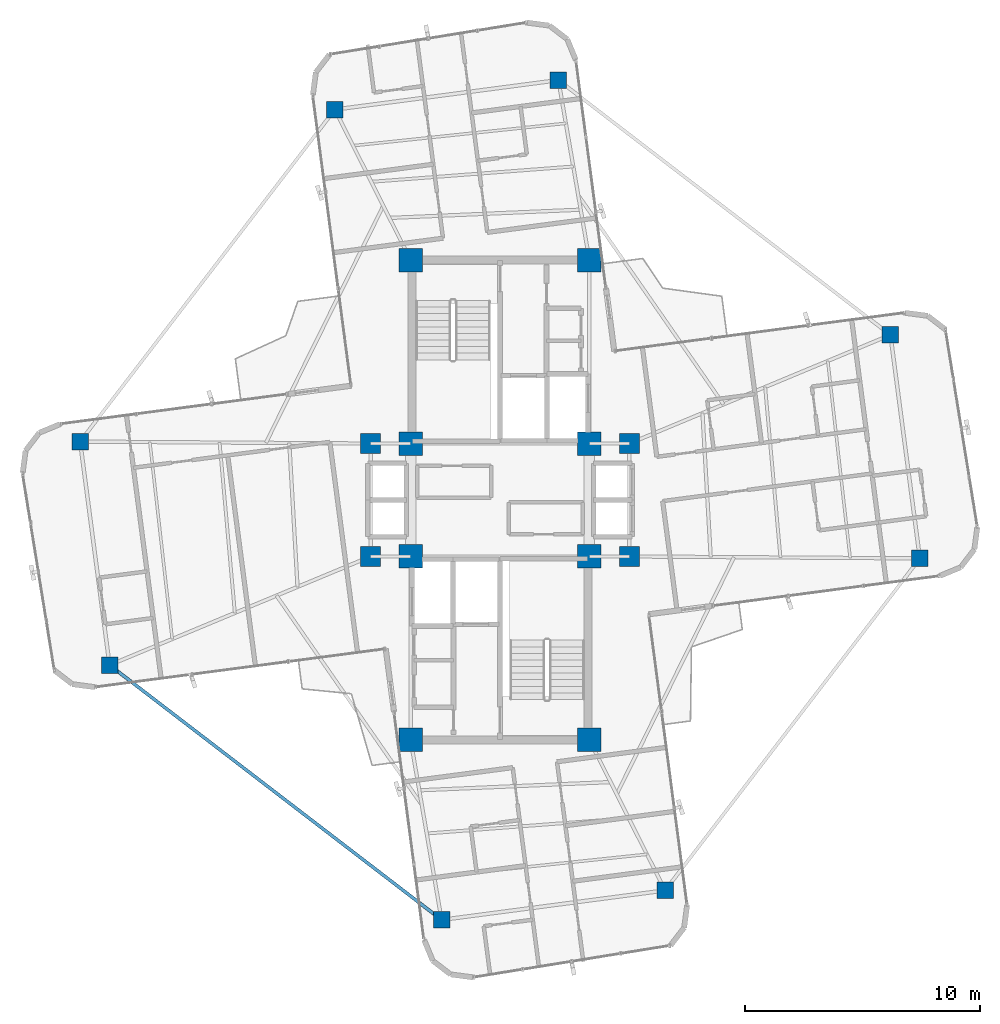
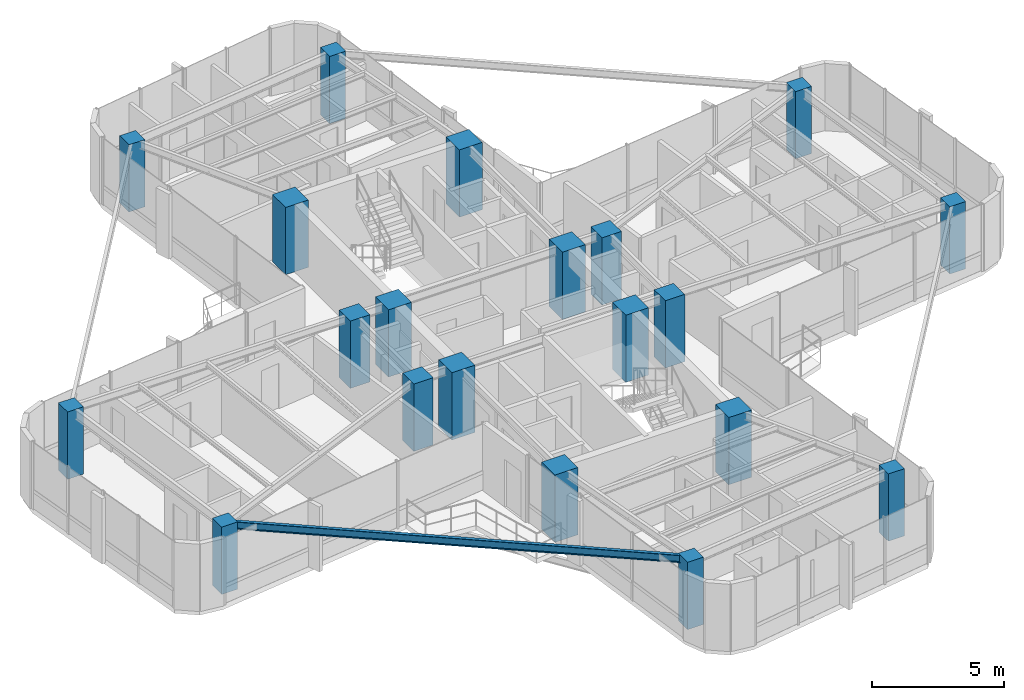
# One storey, part 1 of 22: 20 columns, 1 beam.
"""IFC4 building model written with IfcOpenShell, lengths in metres."""

from ifc_helpers import new_model, si_unit, direction, frame, origin, origin_2d, place, context, subcontext, project, spatial, rectangle, i_section, extrude, source, transform, mapped, material, material_profile, profile_set, type_object, element, save


model = new_model("IFC4")

# Units and contexts
model_context = context("Model", 3, precision=1e-05, world=origin(), true_north=direction((0.0, 1.0)))
body_context = subcontext(model_context, "Body", "Model", "MODEL_VIEW")
ifc_project = project(units=[si_unit("LENGTHUNIT", "METRE"), si_unit("AREAUNIT", "SQUARE_METRE"), si_unit("VOLUMEUNIT", "CUBIC_METRE"), si_unit("PLANEANGLEUNIT", "RADIAN"), si_unit("MASSUNIT", "GRAM", prefix="KILO")], contexts=[model_context])

# Site, building, storey
site_placement = place(None, origin())
site = spatial("IfcSite", under=ifc_project, at=site_placement, CompositionType="ELEMENT")
building_placement = place(site_placement, origin())
building = spatial("IfcBuilding", under=site, at=building_placement, Name="Sahyath Konkavel Grand Hotel", CompositionType="ELEMENT")
storey_placement = place(building_placement, frame((0.0, 0.0, 223.25)))
storey = spatial("IfcBuildingStorey", under=building, at=storey_placement, Name="L62", CompositionType="ELEMENT", Elevation=223.25)

# Columns
ifc_material_1 = material(Name="Concrete C50/60", Category="concrete")
ifc_material_profile_1 = material_profile(ifc_material_1, rectangle(XDim=1.0, YDim=1.0, at=origin_2d()), Name="RC 1000x1000")
ifc_profile_set_1 = profile_set([ifc_material_profile_1], Name="Concrete C50/60")
column_type_1 = type_object("IfcColumnType", Name="COL-RC1000", PredefinedType="COLUMN", material=ifc_profile_set_1)
shared_shape_1 = source(origin(), body_context, "Body", "SweptSolid", [
    extrude(rectangle(XDim=1.0, YDim=1.0, at=origin_2d()), origin(), (0.0, 0.0, 1.0), 3.110107421875),
])
for number, where, z_axis, x_axis, name in (
    (1, (-3.800048828125, 2.39990234375, 0.0), (0.0, 0.0, 1.0), (1.0, 0.0, 0.0), "L62 Core Boundary Column NC-SW"),
    (2, (3.800048828125, 2.39990234375, 0.0), (0.0, 0.0, 1.0), (1.0, 0.0, 0.0), "L62 Core Boundary Column NC-SE"),
    (3, (-3.800048828125, 10.199951171875, 0.0), (0.0, 0.0, 1.0), (1.0, 0.0, 0.0), "L62 Core Boundary Column NC-NW"),
    (4, (3.800048828125, 10.199951171875, 0.0), (0.0, 0.0, 1.0), (1.0, 0.0, 0.0), "L62 Core Boundary Column NC-NE"),
    (5, (-3.800048828125, -2.39990234375, 0.0), (0.0, 0.0, 1.0), (1.0, 0.0, 0.0), "L62 Core Boundary Column SC-NW"),
    (6, (3.800048828125, -2.39990234375, 0.0), (0.0, 0.0, 1.0), (1.0, 0.0, 0.0), "L62 Core Boundary Column SC-NE"),
    (7, (-3.800048828125, -10.199951171875, 0.0), (0.0, 0.0, 1.0), (1.0, 0.0, 0.0), "L62 Core Boundary Column SC-SW"),
    (8, (3.800048828125, -10.199951171875, 0.0), (0.0, 0.0, 1.0), (1.0, 0.0, 0.0), "L62 Core Boundary Column SC-SE"),
):
    element("IfcColumn", number, at=place(storey_placement, frame(where, z_axis=z_axis, x_axis=x_axis)), inside=storey, type_object=column_type_1, Name=name, PredefinedType="COLUMN", context=body_context, shape_type="MappedRepresentation", body=[
        mapped(shared_shape_1, transform((0.0, 0.0, 0.0), scale=1.0)),
    ])
ifc_material_2 = material(Name="Concrete C40/50", Category="concrete")
ifc_material_profile_2 = material_profile(ifc_material_2, rectangle(XDim=0.85009765625, YDim=0.85009765625, at=origin_2d()), Name="RC 850x850")
ifc_profile_set_2 = profile_set([ifc_material_profile_2], Name="Concrete C40/50")
column_type_2 = type_object("IfcColumnType", Name="COL-RC850", PredefinedType="COLUMN", material=ifc_profile_set_2)
shared_shape_2 = source(origin(), body_context, "Body", "SweptSolid", [
    extrude(rectangle(XDim=0.85009765625, YDim=0.85009765625, at=origin_2d()), origin(), (0.0, 0.0, 1.0), 3.110107421875),
])
for number, where, z_axis, x_axis, name in (
    (9, (5.5, 2.39990234375, 0.0), (0.0, 0.0, 1.0), (1.0, 0.0, 0.0), "L62 Central Spine Column HB-NE"),
    (10, (-5.5, 2.39990234375, 0.0), (0.0, 0.0, 1.0), (1.0, 0.0, 0.0), "L62 Central Spine Column HB-NW"),
    (11, (5.5, -2.39990234375, 0.0), (0.0, 0.0, 1.0), (1.0, 0.0, 0.0), "L62 Central Spine Column HB-SE"),
    (12, (-5.5, -2.39990234375, 0.0), (0.0, 0.0, 1.0), (1.0, 0.0, 0.0), "L62 Central Spine Column HB-SW"),
):
    element("IfcColumn", number, at=place(storey_placement, frame(where, z_axis=z_axis, x_axis=x_axis)), inside=storey, type_object=column_type_2, Name=name, PredefinedType="COLUMN", context=body_context, shape_type="MappedRepresentation", body=[
        mapped(shared_shape_2, transform((0.0, 0.0, 0.0), scale=1.0)),
    ])
ifc_material_profile_3 = material_profile(ifc_material_2, rectangle(XDim=0.699951171875, YDim=0.699951171875, at=origin_2d()), Name="RC 700x700")
ifc_profile_set_3 = profile_set([ifc_material_profile_3], Name="Concrete C40/50")
column_type_3 = type_object("IfcColumnType", Name="COL-RC700", PredefinedType="COLUMN", material=ifc_profile_set_3)
shared_shape_3 = source(origin(), body_context, "Body", "SweptSolid", [
    extrude(rectangle(XDim=0.699951171875, YDim=0.699951171875, at=origin_2d()), origin(), (0.0, 0.0, 1.0), 3.110107421875),
])
for number, where, z_axis, x_axis, name in (
    (13, (17.849853515625, -2.4833984375, 0.0), (0.0, 0.0, 1.0), (1.0, 0.0, 0.0), "L62 Cruciform Wing Column WC-EA"),
    (14, (16.598876953125, 7.0185546875, 0.0), (0.0, 0.0, 1.0), (1.0, 0.0, 0.0), "L62 Cruciform Wing Column WC-EB"),
    (15, (2.4833984375, 17.849853515625, 0.0), (0.0, 0.0, 1.0), (1.0, 0.0, 0.0), "L62 Cruciform Wing Column WC-NA"),
    (16, (-7.0185546875, 16.598876953125, 0.0), (0.0, 0.0, 1.0), (1.0, 0.0, 0.0), "L62 Cruciform Wing Column WC-NB"),
    (17, (-17.849853515625, 2.4833984375, 0.0), (0.0, 0.0, 1.0), (1.0, 0.0, 0.0), "L62 Cruciform Wing Column WC-WA"),
    (18, (-16.598876953125, -7.0185546875, 0.0), (0.0, 0.0, 1.0), (1.0, 0.0, 0.0), "L62 Cruciform Wing Column WC-WB"),
    (19, (-2.4833984375, -17.849853515625, 0.0), (0.0, 0.0, 1.0), (1.0, 0.0, 0.0), "L62 Cruciform Wing Column WC-SA"),
    (20, (7.0185546875, -16.598876953125, 0.0), (0.0, 0.0, 1.0), (1.0, 0.0, 0.0), "L62 Cruciform Wing Column WC-SB"),
):
    element("IfcColumn", number, at=place(storey_placement, frame(where, z_axis=z_axis, x_axis=x_axis)), inside=storey, type_object=column_type_3, Name=name, PredefinedType="COLUMN", context=body_context, shape_type="MappedRepresentation", body=[
        mapped(shared_shape_3, transform((0.0, 0.0, 0.0), scale=1.0)),
    ])

# Beam
ifc_material_3 = material(Name="Steel E350", Category="steel")
ifc_material_profile_4 = material_profile(ifc_material_3, i_section(OverallWidth=0.139892578125, OverallDepth=0.35009765625, WebThickness=0.008056640625, FlangeThickness=0.01416015625, FilletRadius=0.013916015625, at=origin_2d()), Name="ISMB 350")
ifc_profile_set_4 = profile_set([ifc_material_profile_4], Name="Steel E350")
beam_type = type_object("IfcBeamType", Name="BM-ISMB350", PredefinedType="BEAM", material=ifc_profile_set_4)
shared_shape_4 = source(origin(), body_context, "Body", "SweptSolid", [
    extrude(i_section(OverallWidth=0.139892578125, OverallDepth=0.35009765625, WebThickness=0.008056640625, FlangeThickness=0.01416015625, FilletRadius=0.013916015625, at=origin_2d()), origin(), (0.0, 0.0, 1.0), 17.792236328125),
])
beam_placement = place(storey_placement, frame((-16.598876953125, -7.0185546875, 2.93505859375), z_axis=(0.793350321401, -0.608765363283, 0.0), x_axis=(0.608765363283, 0.793350321401, 0.0)))
element("IfcBeam", 21, at=beam_placement, inside=storey, type_object=beam_type, Name="L62 Re-Entrant Tie Beam SW", PredefinedType="BEAM", context=body_context, shape_type="MappedRepresentation", body=[
    mapped(shared_shape_4, transform((0.0, 0.0, 0.0), scale=1.0)),
])

save(model, "model.ifc")
